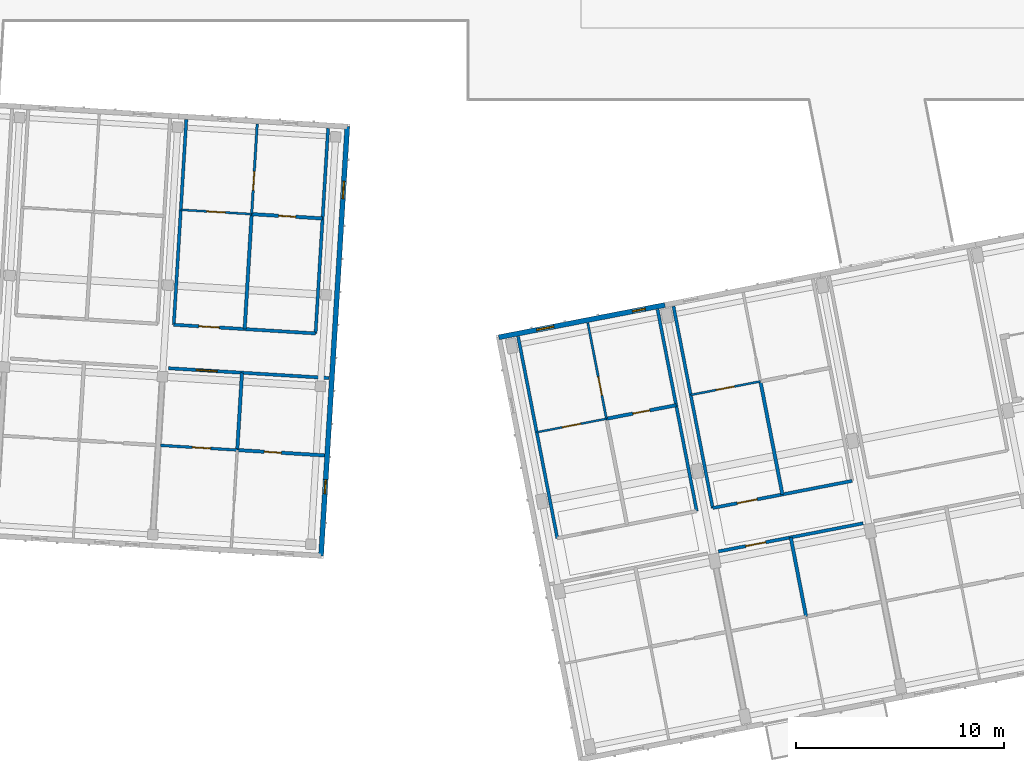
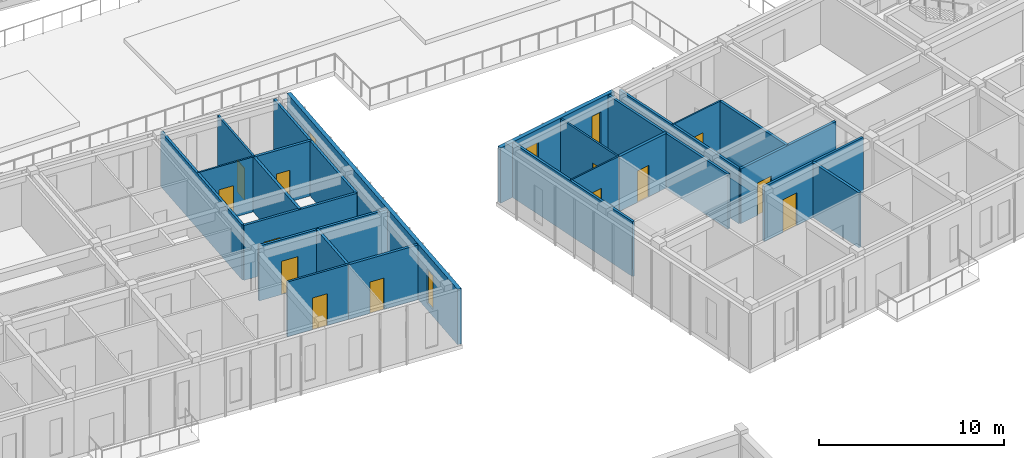
# One storey, part 90 of 150: 24 walls, 13 doors, 4 windows, 17 openings.
"""IFC4 building model written with IfcOpenShell, lengths in metres."""

from ifc_helpers import new_model, si_unit, direction, frame, frame_2d, origin, place, context, subcontext, project, spatial, rectangle, extrude, material, layer, layer_set, type_object, element, fill, save


model = new_model("IFC4")

# Units and contexts
model_context = context("Model", 3, precision=1e-05, world=origin(), true_north=direction((0.0, 1.0)))
body_context = subcontext(model_context, "Body", "Model", "MODEL_VIEW")
ifc_project = project(units=[si_unit("LENGTHUNIT", "METRE"), si_unit("AREAUNIT", "SQUARE_METRE"), si_unit("VOLUMEUNIT", "CUBIC_METRE"), si_unit("PLANEANGLEUNIT", "RADIAN"), si_unit("MASSUNIT", "GRAM", prefix="KILO")], contexts=[model_context])

# Site, building, storey
site_placement = place(None, origin())
site = spatial("IfcSite", under=ifc_project, at=site_placement, CompositionType="ELEMENT")
building_placement = place(site_placement, origin())
building = spatial("IfcBuilding", under=site, at=building_placement, Name="Kestramere Prow Commons", CompositionType="ELEMENT")
storey_placement = place(building_placement, frame((0.0, 0.0, 4.5)))
storey = spatial("IfcBuildingStorey", under=building, at=storey_placement, Name="L01", CompositionType="ELEMENT", Elevation=4.5)

# Wall, openings, windows
ifc_material_1 = material(Name="Fluoropolymer Standing-Seam Zinc-Aluminium Cladding", Category="aluminium")
ifc_layer_1 = layer(ifc_material_1, 0.239990234375)
ifc_layer_set_1 = layer_set([ifc_layer_1], Name="Fluoropolymer Standing-Seam Zinc-Aluminium Cladding")
wall_type_1 = type_object("IfcWallType", Name="EW-SEAM-240", PredefinedType="SOLIDWALL", material=ifc_layer_set_1)
wall_1_placement = place(storey_placement, frame((106.767578125, 63.771484375, 0.0), z_axis=(0.0, 0.0, 1.0), x_axis=(-0.061053332998, -0.99813450523, 0.0)))
wall_1 = element("IfcWall", 1, at=wall_1_placement, inside=storey, type_object=wall_type_1, Name="Block C L01 EAV Facet Wall", PredefinedType="SOLIDWALL", context=body_context, shape_type="SweptSolid", body=[
    extrude(rectangle(XDim=20.64990234375, YDim=0.239990234375, at=frame_2d((10.324951171875, 0.0))), origin(), (0.0, 0.0, 1.0), 3.64990234375),
])
opening_1_placement = place(wall_1_placement, frame((2.6298828125, 0.0, 0.52001953125)))
opening_1 = element("IfcOpeningElement", 2, at=opening_1_placement, cuts=wall_1, Name="Opening WN-14", PredefinedType="OPENING", context=body_context, shape_type="SweptSolid", body=[
    extrude(rectangle(XDim=0.840087890625, YDim=2.280029296875, at=frame_2d((0.419921875, 1.14013671875))), frame((0.0, 0.135009765625, 0.0), z_axis=(0.0, -1.0, 0.0), x_axis=(1.0, 0.0, 0.0)), (0.0, 0.0, 1.0), 0.27001953125),
])
opening_2_placement = place(wall_1_placement, frame((16.97998046875, 0.0, 0.449951171875)))
opening_2 = element("IfcOpeningElement", 3, at=opening_2_placement, cuts=wall_1, Name="Opening WN-06", PredefinedType="OPENING", context=body_context, shape_type="SweptSolid", body=[
    extrude(rectangle(XDim=0.679931640625, YDim=2.239990234375, at=frame_2d((0.33984375, 1.1201171875))), frame((0.0, 0.135009765625, 0.0), z_axis=(0.0, -1.0, 0.0), x_axis=(1.0, 0.0, 0.0)), (0.0, 0.0, 1.0), 0.27001953125),
])
ifc_material_2 = material(Name="Low-E Laminated Double Glazing", Category="glass")
window_type_1 = type_object("IfcWindowType", Name="WN-NAR-680A", PartitioningType="SINGLE_PANEL", PredefinedType="WINDOW", material=ifc_material_2)
window_1_placement = place(opening_2_placement, origin())
window_1 = element("IfcWindow", 4, at=window_1_placement, inside=storey, type_object=window_type_1, Name="WN-C-L01-EAV-1", OverallHeight=2.239990234375, OverallWidth=0.679931640625, PartitioningType="SINGLE_PANEL", PredefinedType="WINDOW", context=body_context, shape_type="SweptSolid", body=[
    extrude(rectangle(XDim=0.679931640625, YDim=2.239990234375, at=frame_2d((0.33984375, 1.1201171875))), frame((0.0, 0.030029296875, 0.0), z_axis=(0.0, -1.0, 0.0), x_axis=(1.0, 0.0, 0.0)), (0.0, 0.0, 1.0), 0.06005859375),
])
fill(opening_2, window_1)
window_type_2 = type_object("IfcWindowType", Name="WN-NAR-840A", PartitioningType="DOUBLE_PANEL_VERTICAL", PredefinedType="WINDOW", material=ifc_material_2)
window_2_placement = place(opening_1_placement, origin())
window_2 = element("IfcWindow", 5, at=window_2_placement, inside=storey, type_object=window_type_2, Name="WN-C-L01-EAV-0", OverallHeight=2.280029296875, OverallWidth=0.840087890625, PartitioningType="SINGLE_PANEL", PredefinedType="WINDOW", context=body_context, shape_type="SweptSolid", body=[
    extrude(rectangle(XDim=0.840087890625, YDim=2.280029296875, at=frame_2d((0.419921875, 1.14013671875))), frame((0.0, 0.030029296875, 0.0), z_axis=(0.0, -1.0, 0.0), x_axis=(1.0, 0.0, 0.0)), (0.0, 0.0, 1.0), 0.06005859375),
])
fill(opening_1, window_2)

wall_2_placement = place(storey_placement, frame((114.044677734375, 53.655029296875, 0.0), z_axis=(0.0, 0.0, 1.0), x_axis=(0.981627273155, 0.190808533872, 0.0)))
wall_2 = element("IfcWall", 6, at=wall_2_placement, inside=storey, type_object=wall_type_1, Name="Block D L01 North Standing-Seam Wall 1", PredefinedType="SOLIDWALL", context=body_context, shape_type="SweptSolid", body=[
    extrude(rectangle(XDim=8.124755859375, YDim=0.239990234375, at=frame_2d((4.0625, 0.0))), origin(), (0.0, 0.0, 1.0), 3.64990234375),
])
opening_3_placement = place(wall_2_placement, frame((1.84912109375, 0.0, 0.5)))
opening_3 = element("IfcOpeningElement", 7, at=opening_3_placement, cuts=wall_2, Name="Opening WN-14", PredefinedType="OPENING", context=body_context, shape_type="SweptSolid", body=[
    extrude(rectangle(XDim=0.840087890625, YDim=2.280029296875, at=frame_2d((0.419921875, 1.14013671875))), frame((0.0, 0.135009765625, 0.0), z_axis=(0.0, -1.0, 0.0), x_axis=(1.0, 0.0, 0.0)), (0.0, 0.0, 1.0), 0.27001953125),
])
opening_4_placement = place(wall_2_placement, frame((6.5380859375, 0.0, 0.43994140625)))
opening_4 = element("IfcOpeningElement", 8, at=opening_4_placement, cuts=wall_2, Name="Opening WN-03", PredefinedType="OPENING", context=body_context, shape_type="SweptSolid", body=[
    extrude(rectangle(XDim=0.6201171875, YDim=2.280029296875, at=frame_2d((0.31005859375, 1.14013671875))), frame((0.0, 0.135009765625, 0.0), z_axis=(0.0, -1.0, 0.0), x_axis=(1.0, 0.0, 0.0)), (0.0, 0.0, 1.0), 0.27001953125),
])
window_type_3 = type_object("IfcWindowType", Name="WN-NAR-620A", PartitioningType="SINGLE_PANEL", PredefinedType="WINDOW", material=ifc_material_2)
window_3_placement = place(opening_4_placement, origin())
window_3 = element("IfcWindow", 9, at=window_3_placement, inside=storey, type_object=window_type_3, Name="WN-D-L01-N-0-1", OverallHeight=2.280029296875, OverallWidth=0.6201171875, PartitioningType="SINGLE_PANEL", PredefinedType="WINDOW", context=body_context, shape_type="SweptSolid", body=[
    extrude(rectangle(XDim=0.6201171875, YDim=2.280029296875, at=frame_2d((0.31005859375, 1.14013671875))), frame((0.0, 0.030029296875, 0.0), z_axis=(0.0, -1.0, 0.0), x_axis=(1.0, 0.0, 0.0)), (0.0, 0.0, 1.0), 0.06005859375),
])
fill(opening_4, window_3)
window_4_placement = place(opening_3_placement, origin())
window_4 = element("IfcWindow", 10, at=window_4_placement, inside=storey, type_object=window_type_2, Name="WN-D-L01-N-0-0", OverallHeight=2.280029296875, OverallWidth=0.840087890625, PartitioningType="SINGLE_PANEL", PredefinedType="WINDOW", context=body_context, shape_type="SweptSolid", body=[
    extrude(rectangle(XDim=0.840087890625, YDim=2.280029296875, at=frame_2d((0.419921875, 1.14013671875))), frame((0.0, 0.030029296875, 0.0), z_axis=(0.0, -1.0, 0.0), x_axis=(1.0, 0.0, 0.0)), (0.0, 0.0, 1.0), 0.06005859375),
])
fill(opening_3, window_4)

# Wall, opening, door
ifc_material_3 = material(Name="Fire-Rated Calcium Silicate Wall")
ifc_layer_2 = layer(ifc_material_3, 0.155029296875)
ifc_layer_set_2 = layer_set([ifc_layer_2], Name="Fire-Rated Calcium Silicate Wall")
wall_type_2 = type_object("IfcWallType", Name="W-FIRE-150", PredefinedType="PARTITIONING", material=ifc_layer_set_2)
wall_3_placement = place(storey_placement, frame((98.17822265625, 52.16943359375, 0.0), z_axis=(0.0, 0.0, 1.0), x_axis=(0.998133272394, -0.061073484761, 0.0)))
wall_3 = element("IfcWall", 11, at=wall_3_placement, inside=storey, type_object=wall_type_2, Name="Interior Partition PW-C-L01-CS-5", PredefinedType="PARTITIONING", context=body_context, shape_type="SweptSolid", body=[
    extrude(rectangle(XDim=7.735107421875, YDim=0.155029296875, at=frame_2d((3.86767578125, 0.0))), origin(), (0.0, 0.0, 1.0), 3.6201171875),
])
opening_5_placement = place(wall_3_placement, frame((1.330078125, 0.0, 0.0)))
opening_5 = element("IfcOpeningElement", 12, at=opening_5_placement, cuts=wall_3, Name="Opening ID-05", PredefinedType="OPENING", context=body_context, shape_type="SweptSolid", body=[
    extrude(rectangle(XDim=1.02001953125, YDim=2.199951171875, at=frame_2d((0.510009765625, 1.10009765625))), frame((0.0, 0.092529296875, 0.0), z_axis=(0.0, -1.0, 0.0), x_axis=(1.0, 0.0, 0.0)), (0.0, 0.0, 1.0), 0.18505859375),
])
ifc_material_4 = material(Name="Hardwood Fire-Rated Flat Entrance Door", Category="wood")
door_type_1 = type_object("IfcDoorType", Name="FD-ENT-02", OperationType="NOTDEFINED", PredefinedType="DOOR", material=ifc_material_4)
door_1_placement = place(opening_5_placement, origin())
door_1 = element("IfcDoor", 13, at=door_1_placement, inside=storey, type_object=door_type_1, Name="Interior Door DR-C-L01-ENT-S5", OperationType="SINGLE_SWING_LEFT", OverallHeight=2.199951171875, OverallWidth=1.02001953125, PredefinedType="DOOR", context=body_context, shape_type="SweptSolid", body=[
    extrude(rectangle(XDim=1.02001953125, YDim=2.199951171875, at=frame_2d((0.510009765625, 1.10009765625))), frame((0.0, 0.02490234375, 0.0), z_axis=(0.0, -1.0, 0.0), x_axis=(1.0, 0.0, 0.0)), (0.0, 0.0, 1.0), 0.050048828125),
])
fill(opening_5, door_1)

wall_4_placement = place(storey_placement, frame((98.436279296875, 54.257568359375, 0.0), z_axis=(0.0, 0.0, 1.0), x_axis=(0.998133350094, -0.061072214879, 0.0)))
wall_4 = element("IfcWall", 14, at=wall_4_placement, inside=storey, type_object=wall_type_2, Name="Interior Partition PW-C-L01-CN-5", PredefinedType="PARTITIONING", context=body_context, shape_type="SweptSolid", body=[
    extrude(rectangle(XDim=6.81982421875, YDim=0.155029296875, at=frame_2d((3.409912109375, 0.0))), origin(), (0.0, 0.0, 1.0), 3.6201171875),
])
opening_6_placement = place(wall_4_placement, frame((1.205078125, 0.0, 0.0)))
opening_6 = element("IfcOpeningElement", 15, at=opening_6_placement, cuts=wall_4, Name="Opening ID-04", PredefinedType="OPENING", context=body_context, shape_type="SweptSolid", body=[
    extrude(rectangle(XDim=0.97998046875, YDim=2.14990234375, at=frame_2d((0.489990234375, 1.074951171875))), frame((0.0, 0.092529296875, 0.0), z_axis=(0.0, -1.0, 0.0), x_axis=(1.0, 0.0, 0.0)), (0.0, 0.0, 1.0), 0.18505859375),
])
door_type_2 = type_object("IfcDoorType", Name="FD-ENT-01", OperationType="NOTDEFINED", PredefinedType="DOOR", material=ifc_material_4)
door_2_placement = place(opening_6_placement, origin())
door_2 = element("IfcDoor", 16, at=door_2_placement, inside=storey, type_object=door_type_2, Name="Interior Door DR-C-L01-ENT-N5", OperationType="SINGLE_SWING_RIGHT", OverallHeight=2.14990234375, OverallWidth=0.97998046875, PredefinedType="DOOR", context=body_context, shape_type="SweptSolid", body=[
    extrude(rectangle(XDim=0.97998046875, YDim=2.14990234375, at=frame_2d((0.489990234375, 1.074951171875))), frame((0.0, 0.02490234375, 0.0), z_axis=(0.0, -1.0, 0.0), x_axis=(1.0, 0.0, 0.0)), (0.0, 0.0, 1.0), 0.050048828125),
])
fill(opening_6, door_2)

wall_5_placement = place(storey_placement, frame((124.585205078125, 43.372314453125, 0.0), z_axis=(0.0, 0.0, 1.0), x_axis=(0.9816234647, 0.190828125677, 0.0)))
wall_5 = element("IfcWall", 17, at=wall_5_placement, inside=storey, type_object=wall_type_2, Name="Interior Partition PW-D-L01-CS-1", PredefinedType="PARTITIONING", context=body_context, shape_type="SweptSolid", body=[
    extrude(rectangle(XDim=7.080078125, YDim=0.155029296875, at=frame_2d((3.5400390625, 0.0))), origin(), (0.0, 0.0, 1.0), 3.6201171875),
])
opening_7_placement = place(wall_5_placement, frame((1.330078125, 0.0, 0.0)))
opening_7 = element("IfcOpeningElement", 18, at=opening_7_placement, cuts=wall_5, Name="Opening ID-04", PredefinedType="OPENING", context=body_context, shape_type="SweptSolid", body=[
    extrude(rectangle(XDim=0.97998046875, YDim=2.14990234375, at=frame_2d((0.489990234375, 1.074951171875))), frame((0.0, 0.092529296875, 0.0), z_axis=(0.0, -1.0, 0.0), x_axis=(1.0, 0.0, 0.0)), (0.0, 0.0, 1.0), 0.18505859375),
])
door_3_placement = place(opening_7_placement, origin())
door_3 = element("IfcDoor", 19, at=door_3_placement, inside=storey, type_object=door_type_2, Name="Interior Door DR-D-L01-ENT-S1", OperationType="SINGLE_SWING_LEFT", OverallHeight=2.14990234375, OverallWidth=0.97998046875, PredefinedType="DOOR", context=body_context, shape_type="SweptSolid", body=[
    extrude(rectangle(XDim=0.97998046875, YDim=2.14990234375, at=frame_2d((0.489990234375, 1.074951171875))), frame((0.0, 0.02490234375, 0.0), z_axis=(0.0, -1.0, 0.0), x_axis=(1.0, 0.0, 0.0)), (0.0, 0.0, 1.0), 0.050048828125),
])
fill(opening_7, door_3)

wall_6_placement = place(storey_placement, frame((124.312255859375, 45.458740234375, 0.0), z_axis=(0.0, 0.0, 1.0), x_axis=(0.981627870431, 0.190805461121, 0.0)))
wall_6 = element("IfcWall", 20, at=wall_6_placement, inside=storey, type_object=wall_type_2, Name="Interior Partition PW-D-L01-CN-1", PredefinedType="PARTITIONING", context=body_context, shape_type="SweptSolid", body=[
    extrude(rectangle(XDim=6.81982421875, YDim=0.155029296875, at=frame_2d((3.409912109375, 0.0))), origin(), (0.0, 0.0, 1.0), 3.6201171875),
])
opening_8_placement = place(wall_6_placement, frame((1.205078125, 0.0, 0.0)))
opening_8 = element("IfcOpeningElement", 21, at=opening_8_placement, cuts=wall_6, Name="Opening ID-04", PredefinedType="OPENING", context=body_context, shape_type="SweptSolid", body=[
    extrude(rectangle(XDim=0.97998046875, YDim=2.14990234375, at=frame_2d((0.489990234375, 1.074951171875))), frame((0.0, 0.092529296875, 0.0), z_axis=(0.0, -1.0, 0.0), x_axis=(1.0, 0.0, 0.0)), (0.0, 0.0, 1.0), 0.18505859375),
])
door_4_placement = place(opening_8_placement, origin())
door_4 = element("IfcDoor", 22, at=door_4_placement, inside=storey, type_object=door_type_2, Name="Interior Door DR-D-L01-ENT-N1", OperationType="SINGLE_SWING_LEFT", OverallHeight=2.14990234375, OverallWidth=0.97998046875, PredefinedType="DOOR", context=body_context, shape_type="SweptSolid", body=[
    extrude(rectangle(XDim=0.97998046875, YDim=2.14990234375, at=frame_2d((0.489990234375, 1.074951171875))), frame((0.0, 0.02490234375, 0.0), z_axis=(0.0, -1.0, 0.0), x_axis=(1.0, 0.0, 0.0)), (0.0, 0.0, 1.0), 0.050048828125),
])
fill(opening_8, door_4)

ifc_material_5 = material(Name="Gypsum Acoustic Drywall")
ifc_layer_3 = layer(ifc_material_5, 0.10009765625)
ifc_layer_set_3 = layer_set([ifc_layer_3], Name="Gypsum Acoustic Drywall")
wall_type_3 = type_object("IfcWallType", Name="W-PART-100", PredefinedType="PARTITIONING", material=ifc_layer_set_3)
wall_7_placement = place(storey_placement, frame((98.77392578125, 59.777099609375, 0.0), z_axis=(0.0, 0.0, 1.0), x_axis=(0.998137711988, -0.061000884486, 0.0)))
wall_7 = element("IfcWall", 23, at=wall_7_placement, inside=storey, type_object=wall_type_3, Name="Interior Partition PW-C-L01-MIDN1-5", PredefinedType="PARTITIONING", context=body_context, shape_type="SweptSolid", body=[
    extrude(rectangle(XDim=3.409912109375, YDim=0.10009765625, at=frame_2d((1.705078125, 0.0))), origin(), (0.0, 0.0, 1.0), 3.6201171875),
])
opening_9_placement = place(wall_7_placement, frame((1.2548828125, 0.0, 0.0)))
opening_9 = element("IfcOpeningElement", 24, at=opening_9_placement, cuts=wall_7, Name="Opening ID-10", PredefinedType="OPENING", context=body_context, shape_type="SweptSolid", body=[
    extrude(rectangle(XDim=0.8798828125, YDim=2.10009765625, at=frame_2d((0.43994140625, 1.050048828125))), frame((0.0, 0.06494140625, 0.0), z_axis=(0.0, -1.0, 0.0), x_axis=(1.0, 0.0, 0.0)), (0.0, 0.0, 1.0), 0.130126953125),
])
ifc_material_6 = material(Name="Engineered Timber Bedroom Door", Category="wood")
door_type_3 = type_object("IfcDoorType", Name="D-RM-03", OperationType="NOTDEFINED", PredefinedType="DOOR", material=ifc_material_6)
door_5_placement = place(opening_9_placement, origin())
door_5 = element("IfcDoor", 25, at=door_5_placement, inside=storey, type_object=door_type_3, Name="Interior Door DR-C-L01-KL-N5", OperationType="SINGLE_SWING_LEFT", OverallHeight=2.10009765625, OverallWidth=0.8798828125, PredefinedType="DOOR", context=body_context, shape_type="SweptSolid", body=[
    extrude(rectangle(XDim=0.8798828125, YDim=2.10009765625, at=frame_2d((0.43994140625, 1.050048828125))), frame((0.0, 0.02490234375, 0.0), z_axis=(0.0, -1.0, 0.0), x_axis=(1.0, 0.0, 0.0)), (0.0, 0.0, 1.0), 0.050048828125),
])
fill(opening_9, door_5)

wall_8_placement = place(storey_placement, frame((123.257080078125, 50.886962890625, 0.0), z_axis=(0.0, 0.0, 1.0), x_axis=(0.981629173664, 0.190798756314, 0.0)))
wall_8 = element("IfcWall", 26, at=wall_8_placement, inside=storey, type_object=wall_type_3, Name="Interior Partition PW-D-L01-MIDN1-1", PredefinedType="PARTITIONING", context=body_context, shape_type="SweptSolid", body=[
    extrude(rectangle(XDim=3.41015625, YDim=0.10009765625, at=frame_2d((1.705078125, 0.0))), origin(), (0.0, 0.0, 1.0), 3.6201171875),
])
opening_10_placement = place(wall_8_placement, frame((1.2548828125, 0.0, 0.0)))
opening_10 = element("IfcOpeningElement", 27, at=opening_10_placement, cuts=wall_8, Name="Opening ID-10", PredefinedType="OPENING", context=body_context, shape_type="SweptSolid", body=[
    extrude(rectangle(XDim=0.8798828125, YDim=2.10009765625, at=frame_2d((0.43994140625, 1.050048828125))), frame((0.0, 0.06494140625, 0.0), z_axis=(0.0, -1.0, 0.0), x_axis=(1.0, 0.0, 0.0)), (0.0, 0.0, 1.0), 0.130126953125),
])
door_6_placement = place(opening_10_placement, origin())
door_6 = element("IfcDoor", 28, at=door_6_placement, inside=storey, type_object=door_type_3, Name="Interior Door DR-D-L01-KL-N1", OperationType="SINGLE_SWING_LEFT", OverallHeight=2.10009765625, OverallWidth=0.8798828125, PredefinedType="DOOR", context=body_context, shape_type="SweptSolid", body=[
    extrude(rectangle(XDim=0.8798828125, YDim=2.10009765625, at=frame_2d((0.43994140625, 1.050048828125))), frame((0.0, 0.02490234375, 0.0), z_axis=(0.0, -1.0, 0.0), x_axis=(1.0, 0.0, 0.0)), (0.0, 0.0, 1.0), 0.050048828125),
])
fill(opening_10, door_6)

ifc_layer_4 = layer(ifc_material_5, 0.110107421875)
ifc_layer_set_4 = layer_set([ifc_layer_4], Name="Gypsum Acoustic Drywall")
wall_type_4 = type_object("IfcWallType", Name="W-PART-110", PredefinedType="PARTITIONING", material=ifc_layer_set_4)
wall_9_placement = place(storey_placement, frame((119.210693359375, 49.743896484375, 0.0), z_axis=(0.0, 0.0, 1.0), x_axis=(-0.190777702748, 0.981633265601, 0.0)))
wall_9 = element("IfcWall", 29, at=wall_9_placement, inside=storey, type_object=wall_type_4, Name="Interior Partition PW-D-L01-LB-N0", PredefinedType="PARTITIONING", context=body_context, shape_type="SweptSolid", body=[
    extrude(rectangle(XDim=4.690185546875, YDim=0.110107421875, at=frame_2d((2.34521484375, 0.0))), origin(), (0.0, 0.0, 1.0), 3.6201171875),
])
opening_11_placement = place(wall_9_placement, frame((1.14990234375, 0.0, 0.0)))
opening_11 = element("IfcOpeningElement", 30, at=opening_11_placement, cuts=wall_9, Name="Opening ID-08", PredefinedType="OPENING", context=body_context, shape_type="SweptSolid", body=[
    extrude(rectangle(XDim=0.89990234375, YDim=2.10009765625, at=frame_2d((0.449951171875, 1.050048828125))), frame((0.0, 0.070068359375, 0.0), z_axis=(0.0, -1.0, 0.0), x_axis=(1.0, 0.0, 0.0)), (0.0, 0.0, 1.0), 0.14013671875),
])
ifc_material_7 = material(Name="Engineered Timber Flush Door", Category="wood")
door_type_4 = type_object("IfcDoorType", Name="D-RM-01", OperationType="NOTDEFINED", PredefinedType="DOOR", material=ifc_material_7)
door_7_placement = place(opening_11_placement, origin())
door_7 = element("IfcDoor", 31, at=door_7_placement, inside=storey, type_object=door_type_4, Name="Interior Door DR-D-L01-BED-N0", OperationType="SINGLE_SWING_LEFT", OverallHeight=2.10009765625, OverallWidth=0.89990234375, PredefinedType="DOOR", context=body_context, shape_type="SweptSolid", body=[
    extrude(rectangle(XDim=0.89990234375, YDim=2.10009765625, at=frame_2d((0.449951171875, 1.050048828125))), frame((0.0, 0.02490234375, 0.0), z_axis=(0.0, -1.0, 0.0), x_axis=(1.0, 0.0, 0.0)), (0.0, 0.0, 1.0), 0.050048828125),
])
fill(opening_11, door_7)

ifc_material_8 = material(Name="Lightweight Blockwork and Plaster", Category="masonry")
ifc_layer_5 = layer(ifc_material_8, 0.1201171875)
ifc_layer_set_5 = layer_set([ifc_layer_5], Name="Lightweight Blockwork and Plaster")
wall_type_5 = type_object("IfcWallType", Name="W-PART-120", PredefinedType="PARTITIONING", material=ifc_layer_set_5)
wall_10_placement = place(storey_placement, frame((102.177490234375, 59.569091796875, 0.0), z_axis=(0.0, 0.0, 1.0), x_axis=(0.061036861365, 0.998135512621, 0.0)))
wall_10 = element("IfcWall", 32, at=wall_10_placement, inside=storey, type_object=wall_type_5, Name="Interior Partition PW-C-L01-LB-N5", PredefinedType="PARTITIONING", context=body_context, shape_type="SweptSolid", body=[
    extrude(rectangle(XDim=4.33984375, YDim=0.1201171875, at=frame_2d((2.169921875, 0.0))), origin(), (0.0, 0.0, 1.0), 3.6201171875),
])
opening_12_placement = place(wall_10_placement, frame((1.14990234375, 0.0, 0.0)))
opening_12 = element("IfcOpeningElement", 33, at=opening_12_placement, cuts=wall_10, Name="Opening ID-08", PredefinedType="OPENING", context=body_context, shape_type="SweptSolid", body=[
    extrude(rectangle(XDim=0.89990234375, YDim=2.10009765625, at=frame_2d((0.449951171875, 1.050048828125))), frame((0.0, 0.074951171875, 0.0), z_axis=(0.0, -1.0, 0.0), x_axis=(1.0, 0.0, 0.0)), (0.0, 0.0, 1.0), 0.150146484375),
])
door_8_placement = place(opening_12_placement, origin())
door_8 = element("IfcDoor", 34, at=door_8_placement, inside=storey, type_object=door_type_4, Name="Interior Door DR-C-L01-BED-N5", OperationType="SINGLE_SWING_LEFT", OverallHeight=2.10009765625, OverallWidth=0.89990234375, PredefinedType="DOOR", context=body_context, shape_type="SweptSolid", body=[
    extrude(rectangle(XDim=0.89990234375, YDim=2.10009765625, at=frame_2d((0.449951171875, 1.050048828125))), frame((0.0, 0.02490234375, 0.0), z_axis=(0.0, -1.0, 0.0), x_axis=(1.0, 0.0, 0.0)), (0.0, 0.0, 1.0), 0.050048828125),
])
fill(opening_12, door_8)

ifc_layer_6 = layer(ifc_material_8, 0.1298828125)
ifc_layer_set_6 = layer_set([ifc_layer_6], Name="Lightweight Blockwork and Plaster")
wall_type_6 = type_object("IfcWallType", Name="W-PART-130", PredefinedType="PARTITIONING", material=ifc_layer_set_6)
wall_11_placement = place(storey_placement, frame((97.806396484375, 48.465087890625, 0.0), z_axis=(0.0, 0.0, 1.0), x_axis=(0.998136719672, -0.061017119263, 0.0)))
wall_11 = element("IfcWall", 35, at=wall_11_placement, inside=storey, type_object=wall_type_6, Name="Interior Partition PW-C-L01-MIDS1-5", PredefinedType="PARTITIONING", context=body_context, shape_type="SweptSolid", body=[
    extrude(rectangle(XDim=3.68505859375, YDim=0.1298828125, at=frame_2d((1.842529296875, 0.0))), origin(), (0.0, 0.0, 1.0), 3.6201171875),
])
opening_13_placement = place(wall_11_placement, frame((1.52490234375, 0.0, 0.0)))
opening_13 = element("IfcOpeningElement", 36, at=opening_13_placement, cuts=wall_11, Name="Opening ID-10", PredefinedType="OPENING", context=body_context, shape_type="SweptSolid", body=[
    extrude(rectangle(XDim=0.8798828125, YDim=2.10009765625, at=frame_2d((0.43994140625, 1.050048828125))), frame((0.0, 0.079833984375, 0.0), z_axis=(0.0, -1.0, 0.0), x_axis=(1.0, 0.0, 0.0)), (0.0, 0.0, 1.0), 0.159912109375),
])
door_9_placement = place(opening_13_placement, origin())
door_9 = element("IfcDoor", 37, at=door_9_placement, inside=storey, type_object=door_type_3, Name="Interior Door DR-C-L01-KL-S5", OperationType="SINGLE_SWING_RIGHT", OverallHeight=2.10009765625, OverallWidth=0.8798828125, PredefinedType="DOOR", context=body_context, shape_type="SweptSolid", body=[
    extrude(rectangle(XDim=0.8798828125, YDim=2.10009765625, at=frame_2d((0.43994140625, 1.050048828125))), frame((0.0, 0.02490234375, 0.0), z_axis=(0.0, -1.0, 0.0), x_axis=(1.0, 0.0, 0.0)), (0.0, 0.0, 1.0), 0.050048828125),
])
fill(opening_13, door_9)

# Walls
ifc_material_9 = material(Name="Masonry Compartment Wall", Category="masonry")
ifc_layer_7 = layer(ifc_material_9, 0.14990234375)
ifc_layer_set_7 = layer_set([ifc_layer_7], Name="Masonry Compartment Wall")
wall_type_7 = type_object("IfcWallType", Name="W-PART-150", PredefinedType="PARTITIONING", material=ifc_layer_set_7)
for number, where, z_axis, x_axis, name in (
    (38, (98.436279296875, 54.257568359375, 0.0), (0.0, 0.0, 1.0), (0.061047700465, 0.998134849741, 0.0), "Interior Partition PW-C-L01-NWL-5"),
    (39, (105.243408203125, 53.841064453125, 0.0), (0.0, 0.0, 1.0), (0.061047700465, 0.998134849741, 0.0), "Interior Partition PW-C-L01-NWR-5"),
    (40, (116.851806640625, 44.008544921875, 0.0), (0.0, 0.0, 1.0), (-0.190814044018, 0.981626202078, 0.0), "Interior Partition PW-D-L01-NWL-0"),
):
    element("IfcWall", number, at=place(storey_placement, frame(where, z_axis=z_axis, x_axis=x_axis)), inside=storey, type_object=wall_type_7, Name=name, PredefinedType="PARTITIONING", context=body_context, shape_type="SweptSolid", body=[
        extrude(rectangle(XDim=9.869873046875, YDim=0.14990234375, at=frame_2d((4.93505859375, 0.0))), origin(), (0.0, 0.0, 1.0), 3.6201171875),
    ])
wall_12_placement = place(storey_placement, frame((123.546630859375, 45.309814453125, 0.0), z_axis=(0.0, 0.0, 1.0), x_axis=(-0.190809410863, 0.981627102685, 0.0)))
element("IfcWall", 41, at=wall_12_placement, inside=storey, type_object=wall_type_7, Name="Interior Partition PW-D-L01-NWR-0", PredefinedType="PARTITIONING", context=body_context, shape_type="SweptSolid", body=[
    extrude(rectangle(XDim=9.8701171875, YDim=0.14990234375, at=frame_2d((4.93505859375, 0.0))), origin(), (0.0, 0.0, 1.0), 3.6201171875),
])
wall_13_placement = place(storey_placement, frame((124.312255859375, 45.458740234375, 0.0), z_axis=(0.0, 0.0, 1.0), x_axis=(-0.190814044018, 0.981626202078, 0.0)))
element("IfcWall", 42, at=wall_13_placement, inside=storey, type_object=wall_type_7, Name="Interior Partition PW-D-L01-NWL-1", PredefinedType="PARTITIONING", context=body_context, shape_type="SweptSolid", body=[
    extrude(rectangle(XDim=9.869873046875, YDim=0.14990234375, at=frame_2d((4.93505859375, 0.0))), origin(), (0.0, 0.0, 1.0), 3.6201171875),
])

# Wall, opening, door
ifc_layer_8 = layer(ifc_material_5, 0.094970703125)
ifc_layer_set_8 = layer_set([ifc_layer_8], Name="Gypsum Acoustic Drywall")
wall_type_8 = type_object("IfcWallType", Name="W-PART-95", PredefinedType="PARTITIONING", material=ifc_layer_set_8)
wall_14_placement = place(storey_placement, frame((115.863525390625, 49.09326171875, 0.0), z_axis=(0.0, 0.0, 1.0), x_axis=(0.98162656706, 0.190812166391, 0.0)))
wall_14 = element("IfcWall", 43, at=wall_14_placement, inside=storey, type_object=wall_type_8, Name="Interior Partition PW-D-L01-MIDN1-0", PredefinedType="PARTITIONING", context=body_context, shape_type="SweptSolid", body=[
    extrude(rectangle(XDim=3.409912109375, YDim=0.094970703125, at=frame_2d((1.705078125, 0.0))), origin(), (0.0, 0.0, 1.0), 3.6201171875),
])
opening_14_placement = place(wall_14_placement, frame((1.2548828125, 0.0, 0.0)))
opening_14 = element("IfcOpeningElement", 44, at=opening_14_placement, cuts=wall_14, Name="Opening ID-08", PredefinedType="OPENING", context=body_context, shape_type="SweptSolid", body=[
    extrude(rectangle(XDim=0.89990234375, YDim=2.10009765625, at=frame_2d((0.449951171875, 1.050048828125))), frame((0.0, 0.0625, 0.0), z_axis=(0.0, -1.0, 0.0), x_axis=(1.0, 0.0, 0.0)), (0.0, 0.0, 1.0), 0.125),
])
door_10_placement = place(opening_14_placement, origin())
door_10 = element("IfcDoor", 45, at=door_10_placement, inside=storey, type_object=door_type_4, Name="Interior Door DR-D-L01-KL-N0", OperationType="SINGLE_SWING_LEFT", OverallHeight=2.10009765625, OverallWidth=0.89990234375, PredefinedType="DOOR", context=body_context, shape_type="SweptSolid", body=[
    extrude(rectangle(XDim=0.89990234375, YDim=2.10009765625, at=frame_2d((0.449951171875, 1.050048828125))), frame((0.0, 0.02490234375, 0.0), z_axis=(0.0, -1.0, 0.0), x_axis=(1.0, 0.0, 0.0)), (0.0, 0.0, 1.0), 0.050048828125),
])
fill(opening_14, door_10)

ifc_material_10 = material(Name="Waterproof Sanitary Masonry Wall", Category="masonry")
ifc_layer_9 = layer(ifc_material_10, 0.1650390625)
ifc_layer_set_9 = layer_set([ifc_layer_9], Name="Waterproof Sanitary Masonry Wall")
wall_type_9 = type_object("IfcWallType", Name="W-PLUMB-150", PredefinedType="PLUMBINGWALL", material=ifc_layer_set_9)
wall_15_placement = place(storey_placement, frame((101.484619140625, 48.240234375, 0.0), z_axis=(0.0, 0.0, 1.0), x_axis=(0.998134581856, -0.061052080255, 0.0)))
wall_15 = element("IfcWall", 46, at=wall_15_placement, inside=storey, type_object=wall_type_9, Name="Interior Partition PW-C-L01-MIDS2-5", PredefinedType="PLUMBINGWALL", context=body_context, shape_type="SweptSolid", body=[
    extrude(rectangle(XDim=4.19482421875, YDim=0.1650390625, at=frame_2d((2.097412109375, 0.0))), origin(), (0.0, 0.0, 1.0), 3.6201171875),
])
opening_15_placement = place(wall_15_placement, frame((1.300048828125, 0.0, 0.0)))
opening_15 = element("IfcOpeningElement", 47, at=opening_15_placement, cuts=wall_15, Name="Opening ID-11", PredefinedType="OPENING", context=body_context, shape_type="SweptSolid", body=[
    extrude(rectangle(XDim=0.820068359375, YDim=2.080078125, at=frame_2d((0.41015625, 1.0400390625))), frame((0.0, 0.097412109375, 0.0), z_axis=(0.0, -1.0, 0.0), x_axis=(1.0, 0.0, 0.0)), (0.0, 0.0, 1.0), 0.195068359375),
])
ifc_material_11 = material(Name="Moisture-Resistant Timber Bathroom Door", Category="wood")
door_type_5 = type_object("IfcDoorType", Name="D-BT-01", OperationType="NOTDEFINED", PredefinedType="DOOR", material=ifc_material_11)
door_11_placement = place(opening_15_placement, origin())
door_11 = element("IfcDoor", 48, at=door_11_placement, inside=storey, type_object=door_type_5, Name="Interior Door DR-C-L01-BTH-S5", OperationType="SINGLE_SWING_LEFT", OverallHeight=2.080078125, OverallWidth=0.820068359375, PredefinedType="DOOR", context=body_context, shape_type="SweptSolid", body=[
    extrude(rectangle(XDim=0.820068359375, YDim=2.080078125, at=frame_2d((0.41015625, 1.0400390625))), frame((0.0, 0.02490234375, 0.0), z_axis=(0.0, -1.0, 0.0), x_axis=(1.0, 0.0, 0.0)), (0.0, 0.0, 1.0), 0.050048828125),
])
fill(opening_15, door_11)

# Wall
wall_16_placement = place(storey_placement, frame((101.484619140625, 48.240234375, 0.0), z_axis=(0.0, 0.0, 1.0), x_axis=(0.061038003798, 0.998135442759, 0.0)))
element("IfcWall", 49, at=wall_16_placement, inside=storey, type_object=wall_type_9, Name="Interior Partition PW-C-L01-KB-S5", PredefinedType="PLUMBINGWALL", context=body_context, shape_type="SweptSolid", body=[
    extrude(rectangle(XDim=3.7197265625, YDim=0.1650390625, at=frame_2d((1.85986328125, 0.0))), origin(), (0.0, 0.0, 1.0), 3.6201171875),
])

# Wall, opening, door
wall_17_placement = place(storey_placement, frame((102.177490234375, 59.569091796875, 0.0), z_axis=(0.0, 0.0, 1.0), x_axis=(0.998133350094, -0.061072214879, 0.0)))
wall_17 = element("IfcWall", 50, at=wall_17_placement, inside=storey, type_object=wall_type_9, Name="Interior Partition PW-C-L01-MIDN2-5", PredefinedType="PLUMBINGWALL", context=body_context, shape_type="SweptSolid", body=[
    extrude(rectangle(XDim=3.409912109375, YDim=0.1650390625, at=frame_2d((1.705078125, 0.0))), origin(), (0.0, 0.0, 1.0), 3.6201171875),
])
opening_16_placement = place(wall_17_placement, frame((1.294921875, 0.0, 0.0)))
opening_16 = element("IfcOpeningElement", 51, at=opening_16_placement, cuts=wall_17, Name="Opening ID-11", PredefinedType="OPENING", context=body_context, shape_type="SweptSolid", body=[
    extrude(rectangle(XDim=0.820068359375, YDim=2.080078125, at=frame_2d((0.41015625, 1.0400390625))), frame((0.0, 0.097412109375, 0.0), z_axis=(0.0, -1.0, 0.0), x_axis=(1.0, 0.0, 0.0)), (0.0, 0.0, 1.0), 0.195068359375),
])
door_12_placement = place(opening_16_placement, origin())
door_12 = element("IfcDoor", 52, at=door_12_placement, inside=storey, type_object=door_type_5, Name="Interior Door DR-C-L01-BTH-N5", OperationType="SINGLE_SWING_RIGHT", OverallHeight=2.080078125, OverallWidth=0.820068359375, PredefinedType="DOOR", context=body_context, shape_type="SweptSolid", body=[
    extrude(rectangle(XDim=0.820068359375, YDim=2.080078125, at=frame_2d((0.41015625, 1.0400390625))), frame((0.0, 0.02490234375, 0.0), z_axis=(0.0, -1.0, 0.0), x_axis=(1.0, 0.0, 0.0)), (0.0, 0.0, 1.0), 0.050048828125),
])
fill(opening_16, door_12)

# Walls
wall_18_placement = place(storey_placement, frame((101.83984375, 54.04931640625, 0.0), z_axis=(0.0, 0.0, 1.0), x_axis=(0.061056206715, 0.998134329447, 0.0)))
element("IfcWall", 53, at=wall_18_placement, inside=storey, type_object=wall_type_9, Name="Interior Partition PW-C-L01-KB-N5", PredefinedType="PLUMBINGWALL", context=body_context, shape_type="SweptSolid", body=[
    extrude(rectangle(XDim=5.530029296875, YDim=0.1650390625, at=frame_2d((2.76513671875, 0.0))), origin(), (0.0, 0.0, 1.0), 3.6201171875),
])
wall_19_placement = place(storey_placement, frame((128.798583984375, 40.2490234375, 0.0), z_axis=(0.0, 0.0, 1.0), x_axis=(-0.190775098069, 0.981633771809, 0.0)))
element("IfcWall", 54, at=wall_19_placement, inside=storey, type_object=wall_type_9, Name="Interior Partition PW-D-L01-KB-S1", PredefinedType="PLUMBINGWALL", context=body_context, shape_type="SweptSolid", body=[
    extrude(rectangle(XDim=3.869873046875, YDim=0.1650390625, at=frame_2d((1.93505859375, 0.0))), origin(), (0.0, 0.0, 1.0), 3.6201171875),
])

# Wall, opening, door
wall_20_placement = place(storey_placement, frame((119.210693359375, 49.743896484375, 0.0), z_axis=(0.0, 0.0, 1.0), x_axis=(0.981629173664, 0.190798756314, 0.0)))
wall_20 = element("IfcWall", 55, at=wall_20_placement, inside=storey, type_object=wall_type_9, Name="Interior Partition PW-D-L01-MIDN2-0", PredefinedType="PLUMBINGWALL", context=body_context, shape_type="SweptSolid", body=[
    extrude(rectangle(XDim=3.41015625, YDim=0.1650390625, at=frame_2d((1.705078125, 0.0))), origin(), (0.0, 0.0, 1.0), 3.6201171875),
])
opening_17_placement = place(wall_20_placement, frame((1.294921875, 0.0, 0.0)))
opening_17 = element("IfcOpeningElement", 56, at=opening_17_placement, cuts=wall_20, Name="Opening ID-11", PredefinedType="OPENING", context=body_context, shape_type="SweptSolid", body=[
    extrude(rectangle(XDim=0.820068359375, YDim=2.080078125, at=frame_2d((0.41015625, 1.0400390625))), frame((0.0, 0.097412109375, 0.0), z_axis=(0.0, -1.0, 0.0), x_axis=(1.0, 0.0, 0.0)), (0.0, 0.0, 1.0), 0.195068359375),
])
door_13_placement = place(opening_17_placement, origin())
door_13 = element("IfcDoor", 57, at=door_13_placement, inside=storey, type_object=door_type_5, Name="Interior Door DR-D-L01-BTH-N0", OperationType="SINGLE_SWING_RIGHT", OverallHeight=2.080078125, OverallWidth=0.820068359375, PredefinedType="DOOR", context=body_context, shape_type="SweptSolid", body=[
    extrude(rectangle(XDim=0.820068359375, YDim=2.080078125, at=frame_2d((0.41015625, 1.0400390625))), frame((0.0, 0.02490234375, 0.0), z_axis=(0.0, -1.0, 0.0), x_axis=(1.0, 0.0, 0.0)), (0.0, 0.0, 1.0), 0.050048828125),
])
fill(opening_17, door_13)

# Wall
wall_21_placement = place(storey_placement, frame((127.65966796875, 46.109375, 0.0), z_axis=(0.0, 0.0, 1.0), x_axis=(-0.190815300433, 0.981625957848, 0.0)))
element("IfcWall", 58, at=wall_21_placement, inside=storey, type_object=wall_type_9, Name="Interior Partition PW-D-L01-KB-N1", PredefinedType="PLUMBINGWALL", context=body_context, shape_type="SweptSolid", body=[
    extrude(rectangle(XDim=5.52978515625, YDim=0.1650390625, at=frame_2d((2.764892578125, 0.0))), origin(), (0.0, 0.0, 1.0), 3.6201171875),
])

save(model, "model.ifc")
